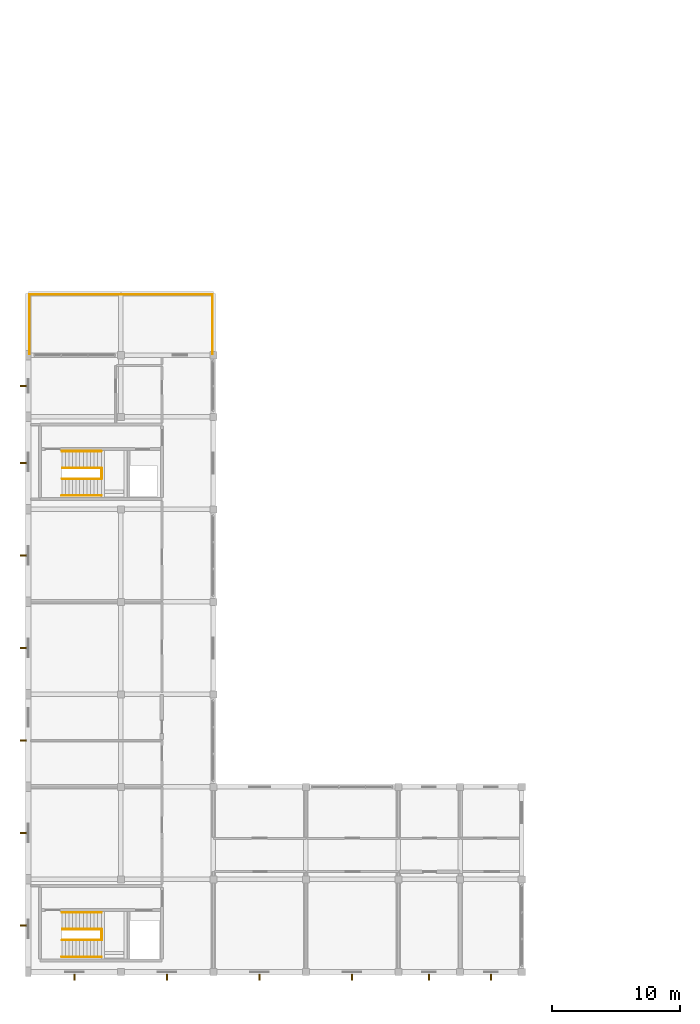
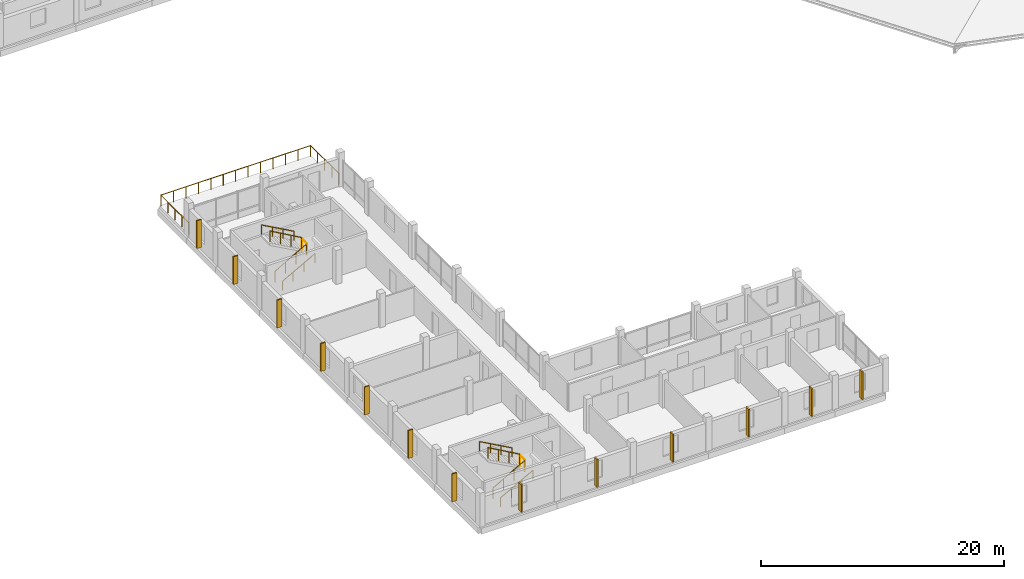
# One storey, part 62 of 66: 13 railings, 13 shading devices.
"""IFC4 building model written with IfcOpenShell, lengths in metres."""

from ifc_helpers import new_model, si_unit, direction, frame, origin, origin_2d, place, context, subcontext, project, spatial, rectangle, circle, extrude, material, type_object, element, save


model = new_model("IFC4")

# Units and contexts
model_context = context("Model", 3, precision=1e-05, world=origin(), true_north=direction((0.0, 1.0)))
body_context = subcontext(model_context, "Body", "Model", "MODEL_VIEW")
ifc_project = project(units=[si_unit("LENGTHUNIT", "METRE"), si_unit("AREAUNIT", "SQUARE_METRE"), si_unit("VOLUMEUNIT", "CUBIC_METRE"), si_unit("PLANEANGLEUNIT", "RADIAN"), si_unit("MASSUNIT", "GRAM", prefix="KILO")], contexts=[model_context])

# Site, building, storey
site_placement = place(None, origin())
site = spatial("IfcSite", under=ifc_project, at=site_placement, CompositionType="ELEMENT")
building_placement = place(site_placement, origin())
building = spatial("IfcBuilding", under=site, at=building_placement, Name="Zornivar Specialist Clinic", CompositionType="ELEMENT")
storey_placement = place(building_placement, frame((0.0, 0.0, 16.0)))
storey = spatial("IfcBuildingStorey", under=building, at=storey_placement, Name="L04", CompositionType="ELEMENT", Elevation=16.0)

# Railings
ifc_material_1 = material(Name="Brushed Stainless Steel Stair Guardrail", Category="steel")
railing_type_1 = type_object("IfcRailingType", Name="GRD-INT-STAIR-1100", PredefinedType="GUARDRAIL", material=ifc_material_1)
railing_1_placement = place(storey_placement, frame((2.639892578125, 2.47998046875, 0.154052734375)))
element("IfcRailing", 1, at=railing_1_placement, inside=storey, type_object=railing_type_1, Name="stair:C1:L04:grd1", PredefinedType="GUARDRAIL", context=body_context, shape_type="SweptSolid", body=[
    extrude(circle(Radius=0.02392578125, at=origin_2d()), frame((0.0, 0.0, 1.076171875), z_axis=(0.870514015959, 0.0, 0.492143625396), x_axis=(0.0, 1.0, 0.0)), (0.0, 0.0, 1.0), 3.4462890625),
    extrude(circle(Radius=0.02099609375, at=origin_2d()), origin(), (0.0, 0.0, 1.0), 1.052001953125),
    extrude(circle(Radius=0.02099609375, at=origin_2d()), frame((1.0, 0.0, 0.5654296875)), (0.0, 0.0, 1.0), 1.052001953125),
    extrude(circle(Radius=0.02099609375, at=origin_2d()), frame((2.0, 0.0, 1.130615234375)), (0.0, 0.0, 1.0), 1.052001953125),
    extrude(circle(Radius=0.02099609375, at=origin_2d()), frame((3.0, 0.0, 1.696044921875)), (0.0, 0.0, 1.0), 1.052001953125),
])
railing_2_placement = place(storey_placement, frame((5.639892578125, 3.320068359375, 2.00390625)))
element("IfcRailing", 2, at=railing_2_placement, inside=storey, type_object=railing_type_1, Name="stair:C1:L04:grd2", PredefinedType="GUARDRAIL", context=body_context, shape_type="SweptSolid", body=[
    extrude(circle(Radius=0.02392578125, at=origin_2d()), frame((0.0, 0.0, 1.076171875), z_axis=(-0.869096283189, 0.0, 0.49464295259), x_axis=(0.0, -1.0, 0.0)), (0.0, 0.0, 1.0), 3.4287109375),
    extrude(circle(Radius=0.02099609375, at=origin_2d()), origin(), (0.0, 0.0, 1.0), 1.052001953125),
    extrude(circle(Radius=0.02099609375, at=origin_2d()), frame((-0.993408203125, 0.0, 0.5654296875)), (0.0, 0.0, 1.0), 1.052001953125),
    extrude(circle(Radius=0.02099609375, at=origin_2d()), frame((-1.986572265625, 0.0, 1.130615234375)), (0.0, 0.0, 1.0), 1.052001953125),
    extrude(circle(Radius=0.02099609375, at=origin_2d()), frame((-2.97998046875, 0.0, 1.696044921875)), (0.0, 0.0, 1.0), 1.052001953125),
])
railing_3_placement = place(storey_placement, frame((5.7099609375, 2.47998046875, 1.85009765625)))
element("IfcRailing", 3, at=railing_3_placement, inside=storey, type_object=railing_type_1, Name="stair:C1:L04:grdl", PredefinedType="GUARDRAIL", context=body_context, shape_type="SweptSolid", body=[
    extrude(circle(Radius=0.02392578125, at=origin_2d()), frame((0.0, 0.0, 1.076171875), z_axis=(0.0, 1.0, 0.0), x_axis=(-1.0, 0.0, 0.0)), (0.0, 0.0, 1.0), 0.840087890625),
    extrude(circle(Radius=0.02099609375, at=origin_2d()), origin(), (0.0, 0.0, 1.0), 1.052001953125),
    extrude(circle(Radius=0.02099609375, at=origin_2d()), frame((0.0, 0.840087890625, 0.0)), (0.0, 0.0, 1.0), 1.052001953125),
])
railing_4_placement = place(storey_placement, frame((2.639892578125, 38.3798828125, 0.154052734375)))
element("IfcRailing", 4, at=railing_4_placement, inside=storey, type_object=railing_type_1, Name="stair:C2:L04:grd1", PredefinedType="GUARDRAIL", context=body_context, shape_type="SweptSolid", body=[
    extrude(circle(Radius=0.02392578125, at=origin_2d()), frame((0.0, 0.0, 1.076171875), z_axis=(0.870514015959, 0.0, 0.492143625396), x_axis=(0.0, 1.0, 0.0)), (0.0, 0.0, 1.0), 3.4462890625),
    extrude(circle(Radius=0.02099609375, at=origin_2d()), origin(), (0.0, 0.0, 1.0), 1.052001953125),
    extrude(circle(Radius=0.02099609375, at=origin_2d()), frame((1.0, 0.0, 0.5654296875)), (0.0, 0.0, 1.0), 1.052001953125),
    extrude(circle(Radius=0.02099609375, at=origin_2d()), frame((2.0, 0.0, 1.130615234375)), (0.0, 0.0, 1.0), 1.052001953125),
    extrude(circle(Radius=0.02099609375, at=origin_2d()), frame((3.0, 0.0, 1.696044921875)), (0.0, 0.0, 1.0), 1.052001953125),
])
railing_5_placement = place(storey_placement, frame((5.639892578125, 39.219970703125, 2.00390625)))
element("IfcRailing", 5, at=railing_5_placement, inside=storey, type_object=railing_type_1, Name="stair:C2:L04:grd2", PredefinedType="GUARDRAIL", context=body_context, shape_type="SweptSolid", body=[
    extrude(circle(Radius=0.02392578125, at=origin_2d()), frame((0.0, 0.0, 1.076171875), z_axis=(-0.869096283189, 0.0, 0.49464295259), x_axis=(0.0, -1.0, 0.0)), (0.0, 0.0, 1.0), 3.4287109375),
    extrude(circle(Radius=0.02099609375, at=origin_2d()), origin(), (0.0, 0.0, 1.0), 1.052001953125),
    extrude(circle(Radius=0.02099609375, at=origin_2d()), frame((-0.993408203125, 0.0, 0.5654296875)), (0.0, 0.0, 1.0), 1.052001953125),
    extrude(circle(Radius=0.02099609375, at=origin_2d()), frame((-1.986572265625, 0.0, 1.130615234375)), (0.0, 0.0, 1.0), 1.052001953125),
    extrude(circle(Radius=0.02099609375, at=origin_2d()), frame((-2.97998046875, 0.0, 1.696044921875)), (0.0, 0.0, 1.0), 1.052001953125),
])
railing_6_placement = place(storey_placement, frame((5.7099609375, 38.3798828125, 1.85009765625)))
element("IfcRailing", 6, at=railing_6_placement, inside=storey, type_object=railing_type_1, Name="stair:C2:L04:grdl", PredefinedType="GUARDRAIL", context=body_context, shape_type="SweptSolid", body=[
    extrude(circle(Radius=0.02392578125, at=origin_2d()), frame((0.0, 0.0, 1.076171875), z_axis=(0.0, 1.0, 0.0), x_axis=(-1.0, 0.0, 0.0)), (0.0, 0.0, 1.0), 0.840087890625),
    extrude(circle(Radius=0.02099609375, at=origin_2d()), origin(), (0.0, 0.0, 1.0), 1.052001953125),
    extrude(circle(Radius=0.02099609375, at=origin_2d()), frame((0.0, 0.840087890625, 0.0)), (0.0, 0.0, 1.0), 1.052001953125),
])
ifc_material_2 = material(Name="Anodised Bronze Terrace Guardrail")
railing_type_2 = type_object("IfcRailingType", Name="GRD-TERR-GUARD-1120", PredefinedType="GUARDRAIL", material=ifc_material_2)
railing_7_placement = place(storey_placement, frame((14.320068359375, 48.080078125, 0.0)))
element("IfcRailing", 7, at=railing_7_placement, inside=storey, type_object=railing_type_2, Name="rail:V2:L04:terr:0:1", PredefinedType="GUARDRAIL", context=body_context, shape_type="SweptSolid", body=[
    extrude(circle(Radius=0.02392578125, at=origin_2d()), frame((0.0, 0.0, 1.09619140625), z_axis=(0.0, 1.0, 0.0), x_axis=(-1.0, 0.0, 0.0)), (0.0, 0.0, 1.0), 4.639892578125),
    extrude(circle(Radius=0.02099609375, at=origin_2d()), origin(), (0.0, 0.0, 1.0), 1.072021484375),
    extrude(circle(Radius=0.02099609375, at=origin_2d()), frame((0.0, 1.159912109375, 0.0)), (0.0, 0.0, 1.0), 1.072021484375),
    extrude(circle(Radius=0.02099609375, at=origin_2d()), frame((0.0, 2.31982421875, 0.0)), (0.0, 0.0, 1.0), 1.072021484375),
    extrude(circle(Radius=0.02099609375, at=origin_2d()), frame((0.0, 3.47998046875, 0.0)), (0.0, 0.0, 1.0), 1.072021484375),
    extrude(circle(Radius=0.02099609375, at=origin_2d()), frame((0.0, 4.639892578125, 0.0)), (0.0, 0.0, 1.0), 1.072021484375),
])
railing_8_placement = place(storey_placement, frame((14.320068359375, 52.719970703125, 0.0)))
element("IfcRailing", 8, at=railing_8_placement, inside=storey, type_object=railing_type_2, Name="rail:V2:L04:terr:0:2", PredefinedType="GUARDRAIL", context=body_context, shape_type="SweptSolid", body=[
    extrude(circle(Radius=0.02392578125, at=origin_2d()), frame((0.0, 0.0, 1.09619140625), z_axis=(-1.0, 0.0, 0.0), x_axis=(0.0, -1.0, 0.0)), (0.0, 0.0, 1.0), 14.239990234375),
    extrude(circle(Radius=0.02099609375, at=origin_2d()), origin(), (0.0, 0.0, 1.0), 1.072021484375),
    extrude(circle(Radius=0.02099609375, at=origin_2d()), frame((-1.186767578125, 0.0, 0.0)), (0.0, 0.0, 1.0), 1.072021484375),
    extrude(circle(Radius=0.02099609375, at=origin_2d()), frame((-2.373291015625, 0.0, 0.0)), (0.0, 0.0, 1.0), 1.072021484375),
    extrude(circle(Radius=0.02099609375, at=origin_2d()), frame((-3.56005859375, 0.0, 0.0)), (0.0, 0.0, 1.0), 1.072021484375),
    extrude(circle(Radius=0.02099609375, at=origin_2d()), frame((-4.74658203125, 0.0, 0.0)), (0.0, 0.0, 1.0), 1.072021484375),
    extrude(circle(Radius=0.02099609375, at=origin_2d()), frame((-5.933349609375, 0.0, 0.0)), (0.0, 0.0, 1.0), 1.072021484375),
    extrude(circle(Radius=0.02099609375, at=origin_2d()), frame((-7.1201171875, 0.0, 0.0)), (0.0, 0.0, 1.0), 1.072021484375),
    extrude(circle(Radius=0.02099609375, at=origin_2d()), frame((-8.306640625, 0.0, 0.0)), (0.0, 0.0, 1.0), 1.072021484375),
    extrude(circle(Radius=0.02099609375, at=origin_2d()), frame((-9.493408203125, 0.0, 0.0)), (0.0, 0.0, 1.0), 1.072021484375),
    extrude(circle(Radius=0.02099609375, at=origin_2d()), frame((-10.679931640625, 0.0, 0.0)), (0.0, 0.0, 1.0), 1.072021484375),
    extrude(circle(Radius=0.02099609375, at=origin_2d()), frame((-11.86669921875, 0.0, 0.0)), (0.0, 0.0, 1.0), 1.072021484375),
    extrude(circle(Radius=0.02099609375, at=origin_2d()), frame((-13.05322265625, 0.0, 0.0)), (0.0, 0.0, 1.0), 1.072021484375),
    extrude(circle(Radius=0.02099609375, at=origin_2d()), frame((-14.239990234375, 0.0, 0.0)), (0.0, 0.0, 1.0), 1.072021484375),
])
railing_9_placement = place(storey_placement, frame((0.080078125, 52.719970703125, 0.0)))
element("IfcRailing", 9, at=railing_9_placement, inside=storey, type_object=railing_type_2, Name="rail:V2:L04:terr:0:3", PredefinedType="GUARDRAIL", context=body_context, shape_type="SweptSolid", body=[
    extrude(circle(Radius=0.02392578125, at=origin_2d()), frame((0.0, 0.0, 1.09619140625), z_axis=(0.0, -1.0, 0.0), x_axis=(1.0, 0.0, 0.0)), (0.0, 0.0, 1.0), 4.639892578125),
    extrude(circle(Radius=0.02099609375, at=origin_2d()), origin(), (0.0, 0.0, 1.0), 1.072021484375),
    extrude(circle(Radius=0.02099609375, at=origin_2d()), frame((0.0, -1.159912109375, 0.0)), (0.0, 0.0, 1.0), 1.072021484375),
    extrude(circle(Radius=0.02099609375, at=origin_2d()), frame((0.0, -2.31982421875, 0.0)), (0.0, 0.0, 1.0), 1.072021484375),
    extrude(circle(Radius=0.02099609375, at=origin_2d()), frame((0.0, -3.47998046875, 0.0)), (0.0, 0.0, 1.0), 1.072021484375),
    extrude(circle(Radius=0.02099609375, at=origin_2d()), frame((0.0, -4.639892578125, 0.0)), (0.0, 0.0, 1.0), 1.072021484375),
])
ifc_material_3 = material(Name="Brushed Stainless Steel Continuous Handrail", Category="steel")
railing_type_3 = type_object("IfcRailingType", Name="HRL-STAIR-0920", PredefinedType="HANDRAIL", material=ifc_material_3)
railing_10_placement = place(storey_placement, frame((2.60009765625, 1.169921875, 0.154052734375)))
element("IfcRailing", 10, at=railing_10_placement, inside=storey, type_object=railing_type_3, Name="stair:C1:L04:hr1", PredefinedType="HANDRAIL", context=body_context, shape_type="SweptSolid", body=[
    extrude(circle(Radius=0.02392578125, at=origin_2d()), frame((0.0, 0.0, 0.89599609375), z_axis=(0.875959224095, 0.0, 0.482385154957), x_axis=(0.0, 1.0, 0.0)), (0.0, 0.0, 1.0), 3.515869140625),
    extrude(circle(Radius=0.02099609375, at=origin_2d()), origin(), (0.0, 0.0, 1.0), 0.871826171875),
    extrude(circle(Radius=0.02099609375, at=origin_2d()), frame((1.026611328125, 0.0, 0.5654296875)), (0.0, 0.0, 1.0), 0.871826171875),
    extrude(circle(Radius=0.02099609375, at=origin_2d()), frame((2.05322265625, 0.0, 1.130615234375)), (0.0, 0.0, 1.0), 0.871826171875),
    extrude(circle(Radius=0.02099609375, at=origin_2d()), frame((3.079833984375, 0.0, 1.696044921875)), (0.0, 0.0, 1.0), 0.871826171875),
])
railing_11_placement = place(storey_placement, frame((5.679931640625, 4.6298828125, 2.00390625)))
element("IfcRailing", 11, at=railing_11_placement, inside=storey, type_object=railing_type_3, Name="stair:C1:L04:hr2", PredefinedType="HANDRAIL", context=body_context, shape_type="SweptSolid", body=[
    extrude(circle(Radius=0.02392578125, at=origin_2d()), frame((0.0, 0.0, 0.89599609375), z_axis=(-0.874624303793, 0.0, 0.484801327571), x_axis=(0.0, -1.0, 0.0)), (0.0, 0.0, 1.0), 3.49853515625),
    extrude(circle(Radius=0.02099609375, at=origin_2d()), origin(), (0.0, 0.0, 1.0), 0.871826171875),
    extrude(circle(Radius=0.02099609375, at=origin_2d()), frame((-1.02001953125, 0.0, 0.5654296875)), (0.0, 0.0, 1.0), 0.871826171875),
    extrude(circle(Radius=0.02099609375, at=origin_2d()), frame((-2.039794921875, 0.0, 1.130615234375)), (0.0, 0.0, 1.0), 0.871826171875),
    extrude(circle(Radius=0.02099609375, at=origin_2d()), frame((-3.059814453125, 0.0, 1.696044921875)), (0.0, 0.0, 1.0), 0.871826171875),
])
railing_12_placement = place(storey_placement, frame((2.60009765625, 37.070068359375, 0.154052734375)))
element("IfcRailing", 12, at=railing_12_placement, inside=storey, type_object=railing_type_3, Name="stair:C2:L04:hr1", PredefinedType="HANDRAIL", context=body_context, shape_type="SweptSolid", body=[
    extrude(circle(Radius=0.02392578125, at=origin_2d()), frame((0.0, 0.0, 0.89599609375), z_axis=(0.875959224095, 0.0, 0.482385154957), x_axis=(0.0, 1.0, 0.0)), (0.0, 0.0, 1.0), 3.515869140625),
    extrude(circle(Radius=0.02099609375, at=origin_2d()), origin(), (0.0, 0.0, 1.0), 0.871826171875),
    extrude(circle(Radius=0.02099609375, at=origin_2d()), frame((1.026611328125, 0.0, 0.5654296875)), (0.0, 0.0, 1.0), 0.871826171875),
    extrude(circle(Radius=0.02099609375, at=origin_2d()), frame((2.05322265625, 0.0, 1.130615234375)), (0.0, 0.0, 1.0), 0.871826171875),
    extrude(circle(Radius=0.02099609375, at=origin_2d()), frame((3.079833984375, 0.0, 1.696044921875)), (0.0, 0.0, 1.0), 0.871826171875),
])
railing_13_placement = place(storey_placement, frame((5.679931640625, 40.530029296875, 2.00390625)))
element("IfcRailing", 13, at=railing_13_placement, inside=storey, type_object=railing_type_3, Name="stair:C2:L04:hr2", PredefinedType="HANDRAIL", context=body_context, shape_type="SweptSolid", body=[
    extrude(circle(Radius=0.02392578125, at=origin_2d()), frame((0.0, 0.0, 0.89599609375), z_axis=(-0.874624303793, 0.0, 0.484801327571), x_axis=(0.0, -1.0, 0.0)), (0.0, 0.0, 1.0), 3.49853515625),
    extrude(circle(Radius=0.02099609375, at=origin_2d()), origin(), (0.0, 0.0, 1.0), 0.871826171875),
    extrude(circle(Radius=0.02099609375, at=origin_2d()), frame((-1.02001953125, 0.0, 0.5654296875)), (0.0, 0.0, 1.0), 0.871826171875),
    extrude(circle(Radius=0.02099609375, at=origin_2d()), frame((-2.039794921875, 0.0, 1.130615234375)), (0.0, 0.0, 1.0), 0.871826171875),
    extrude(circle(Radius=0.02099609375, at=origin_2d()), frame((-3.059814453125, 0.0, 1.696044921875)), (0.0, 0.0, 1.0), 0.871826171875),
])

# Shading devices
ifc_material_4 = material(Name="Oiled Larch and Bronze Solar Fin")
shading_device_type = type_object("IfcShadingDeviceType", Name="SHD-FACADE-FIN-450", PredefinedType="JALOUSIE", material=ifc_material_4)
for number, where, z_axis, x_axis, name in (
    (14, (3.60009765625, -0.405029296875, 0.3251953125), (0.0, 0.0, 1.0), (1.0, 0.0, 0.0), "fin:V2:L04:00"),
    (15, (10.800048828125, -0.405029296875, 0.3251953125), (0.0, 0.0, 1.0), (1.0, 0.0, 0.0), "fin:V2:L04:01"),
    (16, (18.0, -0.405029296875, 0.3251953125), (0.0, 0.0, 1.0), (1.0, 0.0, 0.0), "fin:V2:L04:02"),
    (17, (25.199951171875, -0.405029296875, 0.3251953125), (0.0, 0.0, 1.0), (1.0, 0.0, 0.0), "fin:V2:L04:03"),
    (18, (31.199951171875, -0.405029296875, 0.2998046875), (0.0, 0.0, 1.0), (1.0, 0.0, 0.0), "fin:V2:L04:04"),
    (19, (36.0, -0.405029296875, 0.2998046875), (0.0, 0.0, 1.0), (1.0, 0.0, 0.0), "fin:V2:L04:05"),
    (20, (-0.405029296875, 45.60009765625, 0.2998046875), (0.0, 0.0, 1.0), (0.0, -1.0, 0.0), "fin:V2:L04:19"),
    (21, (-0.405029296875, 39.60009765625, 0.3251953125), (0.0, 0.0, 1.0), (0.0, -1.0, 0.0), "fin:V2:L04:20"),
    (22, (-0.405029296875, 32.39990234375, 0.3251953125), (0.0, 0.0, 1.0), (0.0, -1.0, 0.0), "fin:V2:L04:21"),
    (23, (-0.405029296875, 25.199951171875, 0.3251953125), (0.0, 0.0, 1.0), (0.0, -1.0, 0.0), "fin:V2:L04:22"),
    (24, (-0.405029296875, 18.0, 0.3251953125), (0.0, 0.0, 1.0), (0.0, -1.0, 0.0), "fin:V2:L04:23"),
    (25, (-0.405029296875, 10.800048828125, 0.3251953125), (0.0, 0.0, 1.0), (0.0, -1.0, 0.0), "fin:V2:L04:24"),
    (26, (-0.405029296875, 3.60009765625, 0.3251953125), (0.0, 0.0, 1.0), (0.0, -1.0, 0.0), "fin:V2:L04:25"),
):
    element("IfcShadingDevice", number, at=place(storey_placement, frame(where, z_axis=z_axis, x_axis=x_axis)), inside=storey, type_object=shading_device_type, Name=name, PredefinedType="JALOUSIE", context=body_context, shape_type="SweptSolid", body=[
        extrude(rectangle(XDim=0.1201171875, YDim=0.449951171875, at=origin_2d()), origin(), (0.0, 0.0, 1.0), 2.800048828125),
    ])

save(model, "model.ifc")
